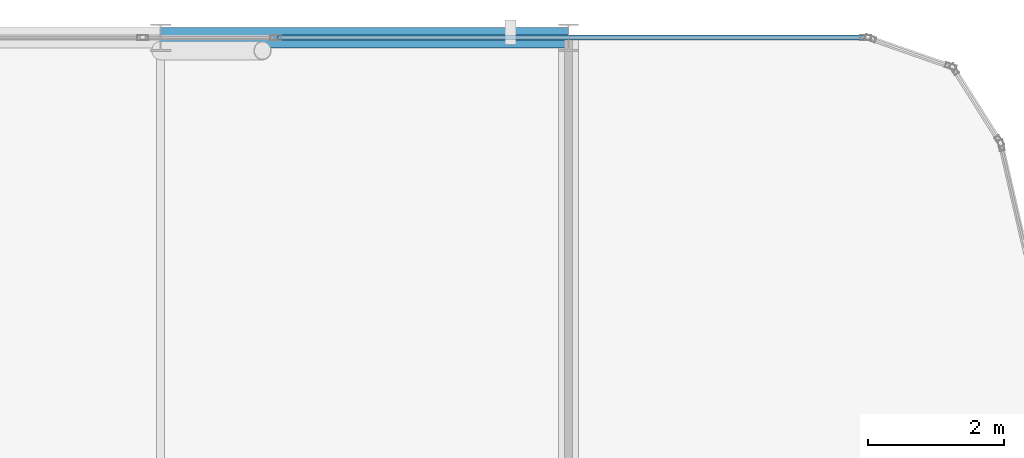
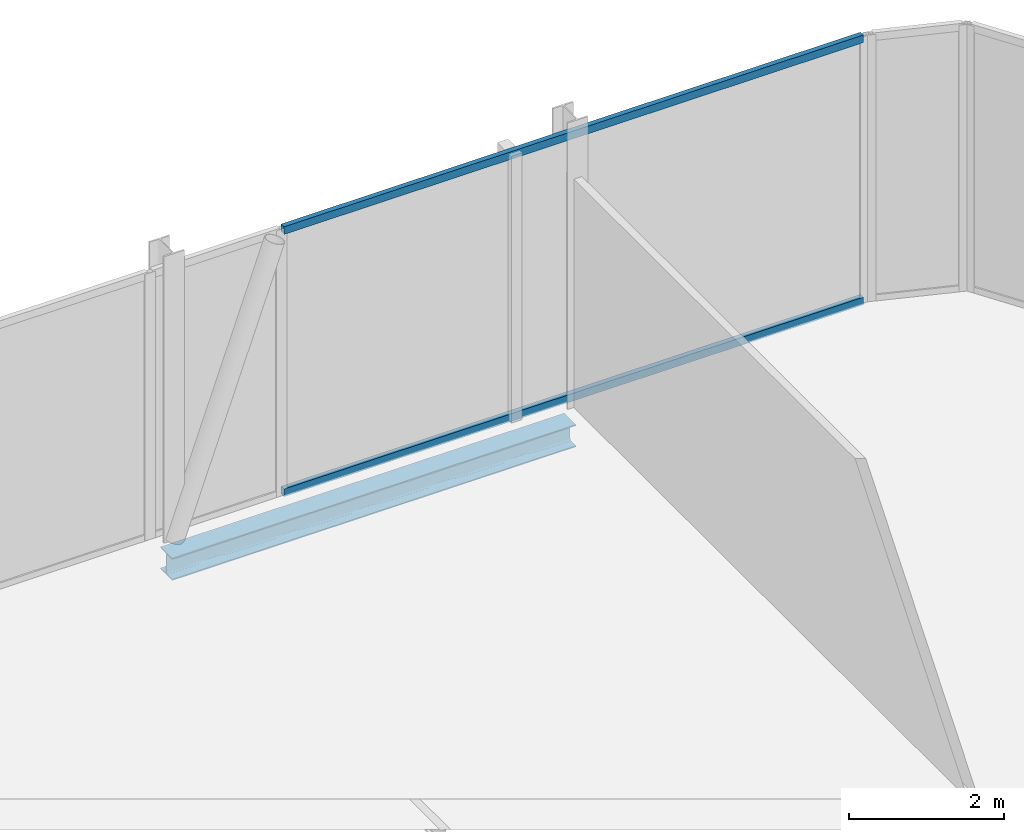
# One storey, part 15 of 24: 2 members, 1 beam, 1 element without a shape of its own.
"""IFC4 building model written with IfcOpenShell, lengths in metres."""

from ifc_helpers import new_model, si_unit, direction, frame, origin, origin_2d, place, context, subcontext, project, spatial, hollow_rectangle, i_section, extrude, material, layer, layer_set, material_profile, profile_set, type_object, element, aggregate, save


model = new_model("IFC4")

# Units and contexts
model_context = context("Model", 3, precision=1e-05, world=origin(), true_north=direction((0.0, 1.0)))
body_context = subcontext(model_context, "Body", "Model", "MODEL_VIEW")
ifc_project = project(units=[si_unit("LENGTHUNIT", "METRE"), si_unit("AREAUNIT", "SQUARE_METRE"), si_unit("VOLUMEUNIT", "CUBIC_METRE"), si_unit("PLANEANGLEUNIT", "RADIAN"), si_unit("MASSUNIT", "GRAM", prefix="KILO")], contexts=[model_context])

# Site, building, storey
site_placement = place(None, origin())
site = spatial("IfcSite", under=ifc_project, at=site_placement, CompositionType="ELEMENT")
building_placement = place(site_placement, origin())
building = spatial("IfcBuilding", under=site, at=building_placement, Name="Keshet Zoharim Tower", CompositionType="ELEMENT")
storey_placement = place(building_placement, frame((0.0, 0.0, 242.800048828125)))
storey = spatial("IfcBuildingStorey", under=building, at=storey_placement, Name="L60", CompositionType="ELEMENT", Elevation=242.800048828125)

# Beam
ifc_material_1 = material(Name="Steel S355", Category="steel")
ifc_material_profile_1 = material_profile(ifc_material_1, i_section(OverallWidth=0.300048828125, OverallDepth=0.35009765625, WebThickness=0.010009765625, FlangeThickness=0.017578125, FilletRadius=0.027099609375, at=origin_2d()), Name="HEA360")
ifc_profile_set_1 = profile_set([ifc_material_profile_1], Name="Steel S355")
beam_type = type_object("IfcBeamType", Name="BM-PRI-HA360", PredefinedType="BEAM", material=ifc_profile_set_1)
beam_placement = place(storey_placement, frame((27.0, 53.89990234375, -0.4951171875), z_axis=(1.0, 0.0, 0.0), x_axis=(0.0, 1.0, 0.0)))
element("IfcBeam", 1, at=beam_placement, inside=storey, type_object=beam_type, Name="L60 Primary Girder X-011", PredefinedType="BEAM", context=body_context, shape_type="SweptSolid", body=[
    extrude(i_section(OverallWidth=0.300048828125, OverallDepth=0.35009765625, WebThickness=0.010009765625, FlangeThickness=0.017578125, FilletRadius=0.027099609375, at=origin_2d()), origin(), (0.0, 0.0, 1.0), 6.0),
])

# Curtain wall, members
ifc_material_2 = material(Name="Aluminium 6063-T6", Category="aluminium")
ifc_layer = layer(ifc_material_2, 0.260009765625)
ifc_layer_set = layer_set([ifc_layer], Name="Aluminium 6063-T6")
curtain_wall_type = type_object("IfcCurtainWallType", Name="CW-SYS-06", PredefinedType="NOTDEFINED", material=ifc_layer_set)
curtain_wall_placement = place(storey_placement, origin())
curtain_wall = element("IfcCurtainWall", 2, at=curtain_wall_placement, inside=storey, type_object=curtain_wall_type, Name="L60 Unitised Curtain Wall 06 Part 5", PredefinedType="NOTDEFINED")
ifc_material_profile_2 = material_profile(ifc_material_2, hollow_rectangle(XDim=0.074951171875, YDim=0.1201171875, WallThickness=0.00390625, at=origin_2d()), Name="TRN-75x120")
ifc_profile_set_2 = profile_set([ifc_material_profile_2], Name="Aluminium 6063-T6")
member_type = type_object("IfcMemberType", Name="CWT-T12", PredefinedType="USERDEFINED", material=ifc_profile_set_2)
member_1_placement = place(storey_placement, frame((28.728515625, 53.89990234375, 0.034912109375), z_axis=(1.0, 0.0, 0.0), x_axis=(0.0, 1.0, 0.0)))
member_1 = element("IfcMember", 3, at=member_1_placement, type_object=member_type, Name="CW-06 transom 1.1", ObjectType="TRANSOM", PredefinedType="USERDEFINED", context=body_context, shape_type="SweptSolid", body=[
    extrude(hollow_rectangle(XDim=0.074951171875, YDim=0.1201171875, WallThickness=0.00390625, at=origin_2d()), origin(), (0.0, 0.0, 1.0), 8.610595703125),
])
member_2_placement = place(storey_placement, frame((28.728515625, 53.89990234375, 4.155029296875), z_axis=(1.0, 0.0, 0.0), x_axis=(0.0, 1.0, 0.0)))
member_2 = element("IfcMember", 4, at=member_2_placement, type_object=member_type, Name="CW-06 transom 1.2", ObjectType="TRANSOM", PredefinedType="USERDEFINED", context=body_context, shape_type="SweptSolid", body=[
    extrude(hollow_rectangle(XDim=0.074951171875, YDim=0.1201171875, WallThickness=0.00390625, at=origin_2d()), origin(), (0.0, 0.0, 1.0), 8.610595703125),
])
aggregate(curtain_wall, [member_1, member_2])

save(model, "model.ifc")
